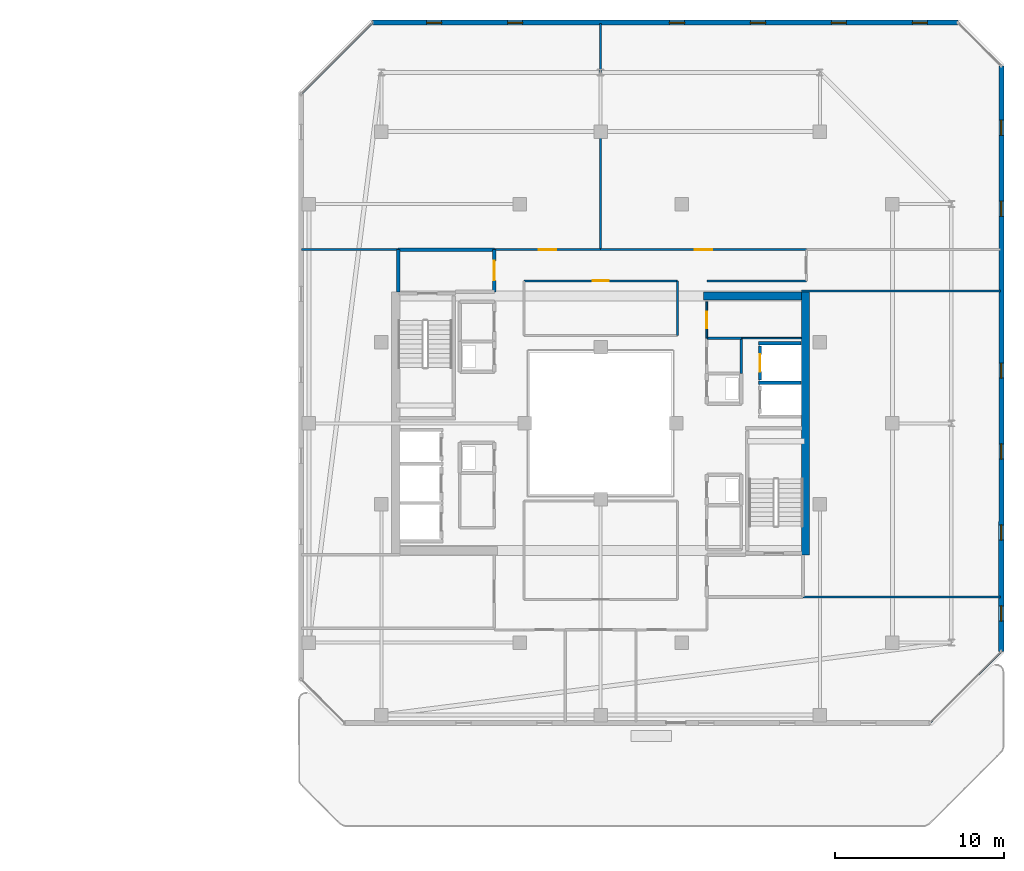
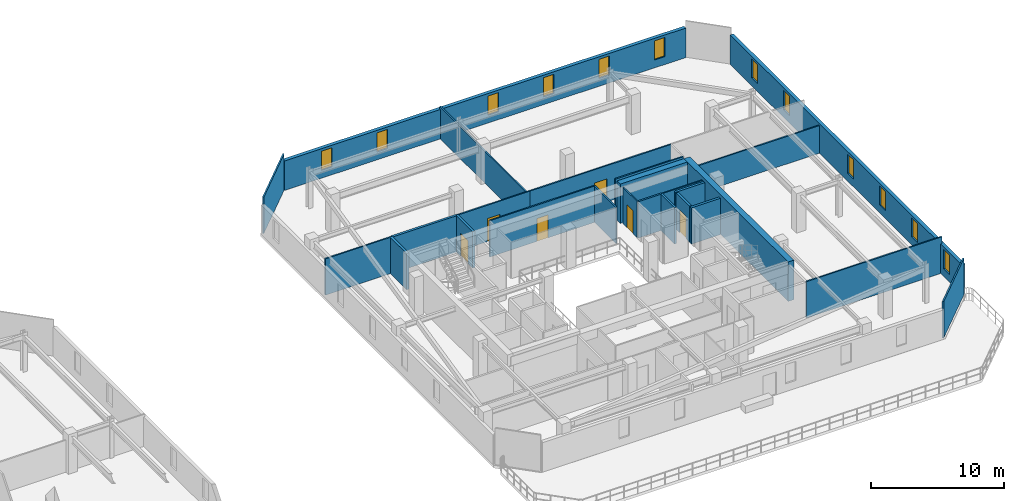
# One storey, part 24 of 31: 25 walls, 12 windows, 6 doors, 18 openings.
"""IFC4 building model written with IfcOpenShell, lengths in metres."""

from ifc_helpers import new_model, si_unit, direction, frame, frame_2d, origin, place, context, subcontext, project, spatial, rectangle, extrude, material, layer, layer_set, type_object, element, fill, save


model = new_model("IFC4")

# Units and contexts
model_context = context("Model", 3, precision=1e-05, world=origin(), true_north=direction((0.0, 1.0)))
body_context = subcontext(model_context, "Body", "Model", "MODEL_VIEW")
ifc_project = project(units=[si_unit("LENGTHUNIT", "METRE"), si_unit("AREAUNIT", "SQUARE_METRE"), si_unit("VOLUMEUNIT", "CUBIC_METRE"), si_unit("PLANEANGLEUNIT", "RADIAN"), si_unit("MASSUNIT", "GRAM", prefix="KILO")], contexts=[model_context])

# Site, building, storey
site_placement = place(None, origin())
site = spatial("IfcSite", under=ifc_project, at=site_placement, CompositionType="ELEMENT")
building_placement = place(site_placement, origin())
building = spatial("IfcBuilding", under=site, at=building_placement, Name="Thornwick Lancets Civic Towers", CompositionType="ELEMENT")
storey_placement = place(building_placement, frame((0.0, 0.0, 254.699951171875)))
storey = spatial("IfcBuildingStorey", under=building, at=storey_placement, Name="L68", CompositionType="ELEMENT", Elevation=254.699951171875)

# Wall, opening, door
ifc_material_1 = material(Name="Concrete blockwork C40/50", Category="masonry")
ifc_layer_1 = layer(ifc_material_1, 0.199951171875, Name="Concrete blockwork C40/50")
ifc_layer_set_1 = layer_set([ifc_layer_1], Name="Concrete blockwork C40/50")
wall_type_1 = type_object("IfcWallType", Name="WALL_COMP_200", PredefinedType="STANDARD", material=ifc_layer_set_1)
wall_1_placement = place(storey_placement, frame((97.949951171875, 31.570068359375, 0.0), z_axis=(0.0, 0.0, 1.0), x_axis=(0.0, -1.0, 0.0)))
wall_1 = element("IfcWall", 1, at=wall_1_placement, inside=storey, type_object=wall_type_1, Name="L68 Hoistway Front Wall PL-BH1", PredefinedType="STANDARD", context=body_context, shape_type="SweptSolid", body=[
    extrude(rectangle(XDim=1.989990234375, YDim=0.199951171875, at=frame_2d((0.9951171875, 0.0))), origin(), (0.0, 0.0, 1.0), 3.320068359375),
])
opening_1_placement = place(wall_1_placement, frame((0.485107421875, 0.0, 0.0)))
opening_1 = element("IfcOpeningElement", 2, at=opening_1_placement, cuts=wall_1, Name="Opening LD-PL-BH1", PredefinedType="OPENING", context=body_context, shape_type="SweptSolid", body=[
    extrude(rectangle(XDim=1.02001953125, YDim=2.06005859375, at=frame_2d((0.510009765625, 1.030029296875))), frame((0.0, 0.10986328125, 0.0), z_axis=(0.0, -1.0, 0.0), x_axis=(1.0, 0.0, 0.0)), (0.0, 0.0, 1.0), 0.219970703125),
])
ifc_material_2 = material(Name="Brushed bronze stainless steel", Category="steel")
door_type_1 = type_object("IfcDoorType", Name="DOOR_LIFT_SLIDE", OperationType="SLIDING_TO_LEFT", PredefinedType="DOOR", material=ifc_material_2)
door_1_placement = place(opening_1_placement, origin())
door_1 = element("IfcDoor", 3, at=door_1_placement, inside=storey, type_object=door_type_1, Name="L68 Sliding Lift Landing Door LD-PL-BH1", OperationType="SLIDING_TO_LEFT", OverallHeight=2.06005859375, OverallWidth=1.02001953125, PredefinedType="DOOR", context=body_context, shape_type="SweptSolid", body=[
    extrude(rectangle(XDim=1.02001953125, YDim=2.06005859375, at=frame_2d((0.510009765625, 1.030029296875))), frame((0.0, 0.02490234375, 0.0), z_axis=(0.0, -1.0, 0.0), x_axis=(1.0, 0.0, 0.0)), (0.0, 0.0, 1.0), 0.050048828125),
])
fill(opening_1, door_1)

# Walls
for number, where, z_axis, x_axis, name in (
    (4, (97.85205078125, 29.39990234375, 0.0), (0.0, 0.0, 1.0), (1.0, 0.0, 0.0), "L68 Hoistway Shaft Wall FL-B1 N"),
    (5, (97.85205078125, 31.75, 0.0), (0.0, 0.0, 1.0), (1.0, 0.0, 0.0), "L68 Hoistway Shaft Wall PL-BH1 N"),
):
    element("IfcWall", number, at=place(storey_placement, frame(where, z_axis=z_axis, x_axis=x_axis)), inside=storey, type_object=wall_type_1, Name=name, PredefinedType="STANDARD", context=body_context, shape_type="SweptSolid", body=[
        extrude(rectangle(XDim=2.535888671875, YDim=0.199951171875, at=frame_2d((1.26806640625, 0.0))), origin(), (0.0, 0.0, 1.0), 3.320068359375),
    ])

# Wall, opening, door
wall_2_placement = place(storey_placement, frame((82.199951171875, 34.800048828125, 0.0), z_axis=(0.0, 0.0, 1.0), x_axis=(0.0, 1.0, 0.0)))
wall_2 = element("IfcWall", 6, at=wall_2_placement, inside=storey, type_object=wall_type_1, Name="L68 Partition L68-B-FFLOB2 E2", PredefinedType="STANDARD", context=body_context, shape_type="SweptSolid", body=[
    extrude(rectangle(XDim=2.5, YDim=0.199951171875, at=frame_2d((1.25, 0.0))), origin(), (0.0, 0.0, 1.0), 3.320068359375),
])
opening_2_placement = place(wall_2_placement, frame((0.675048828125, 0.0, 0.0)))
opening_2 = element("IfcOpeningElement", 7, at=opening_2_placement, cuts=wall_2, Name="Opening D-L68-3103", PredefinedType="OPENING", context=body_context, shape_type="SweptSolid", body=[
    extrude(rectangle(XDim=1.14990234375, YDim=2.10009765625, at=frame_2d((0.574951171875, 1.050048828125))), frame((0.0, 0.10986328125, 0.0), z_axis=(0.0, -1.0, 0.0), x_axis=(1.0, 0.0, 0.0)), (0.0, 0.0, 1.0), 0.219970703125),
])
ifc_material_3 = material(Name="Glazed fire-resisting steel", Category="steel")
door_type_2 = type_object("IfcDoorType", Name="DOOR_LOBBY_FD60", OperationType="NOTDEFINED", PredefinedType="DOOR", material=ifc_material_3)
door_2_placement = place(opening_2_placement, origin())
door_2 = element("IfcDoor", 8, at=door_2_placement, inside=storey, type_object=door_type_2, Name="L68 West Firefighting Lobby 2 Door", OperationType="SINGLE_SWING_RIGHT", OverallHeight=2.10009765625, OverallWidth=1.14990234375, PredefinedType="DOOR", context=body_context, shape_type="SweptSolid", body=[
    extrude(rectangle(XDim=1.14990234375, YDim=2.10009765625, at=frame_2d((0.574951171875, 1.050048828125))), frame((0.0, 0.02490234375, 0.0), z_axis=(0.0, -1.0, 0.0), x_axis=(1.0, 0.0, 0.0)), (0.0, 0.0, 1.0), 0.050048828125),
])
fill(opening_2, door_2)

# Walls
wall_3_placement = place(storey_placement, frame((82.199951171875, 37.300048828125, 0.0), z_axis=(0.0, 0.0, 1.0), x_axis=(-1.0, 0.0, 0.0)))
element("IfcWall", 9, at=wall_3_placement, inside=storey, type_object=wall_type_1, Name="L68 Partition L68-B-FFLOB2 E3", PredefinedType="STANDARD", context=body_context, shape_type="SweptSolid", body=[
    extrude(rectangle(XDim=5.699951171875, YDim=0.199951171875, at=frame_2d((2.85009765625, 0.0))), origin(), (0.0, 0.0, 1.0), 3.320068359375),
])
wall_4_placement = place(storey_placement, frame((76.5, 37.300048828125, 0.0), z_axis=(0.0, 0.0, 1.0), x_axis=(0.0, -1.0, 0.0)))
element("IfcWall", 10, at=wall_4_placement, inside=storey, type_object=wall_type_1, Name="L68 Partition L68-B-FFLOB2 E4", PredefinedType="STANDARD", context=body_context, shape_type="SweptSolid", body=[
    extrude(rectangle(XDim=2.5, YDim=0.199951171875, at=frame_2d((1.25, 0.0))), origin(), (0.0, 0.0, 1.0), 3.320068359375),
])
ifc_material_4 = material(Name="Concrete C50/60", Category="concrete")
ifc_layer_2 = layer(ifc_material_4, 0.5, Name="Concrete C50/60")
ifc_layer_set_2 = layer_set([ifc_layer_2], Name="Concrete C50/60")
wall_type_2 = type_object("IfcWallType", Name="WALL_CORE_500", PredefinedType="SHEAR", material=ifc_layer_set_2)
wall_5_placement = place(storey_placement, frame((100.64990234375, 19.199951171875, 0.0), z_axis=(0.0, 0.0, 1.0), x_axis=(0.0, 1.0, 0.0)))
element("IfcWall", 11, at=wall_5_placement, inside=storey, type_object=wall_type_2, Name="L68 Split Core B1 Shear Wall E", PredefinedType="SHEAR", context=body_context, shape_type="SweptSolid", body=[
    extrude(rectangle(XDim=15.60009765625, YDim=0.5, at=frame_2d((7.800048828125, 0.0))), origin(), (0.0, 0.0, 1.0), 3.60009765625),
])
wall_6_placement = place(storey_placement, frame((94.60009765625, 34.550048828125, 0.0), z_axis=(0.0, 0.0, 1.0), x_axis=(1.0, 0.0, 0.0)))
element("IfcWall", 12, at=wall_6_placement, inside=storey, type_object=wall_type_2, Name="L68 Split Core B1 Shear Wall N", PredefinedType="SHEAR", context=body_context, shape_type="SweptSolid", body=[
    extrude(rectangle(XDim=5.7998046875, YDim=0.5, at=frame_2d((2.89990234375, 0.0))), origin(), (0.0, 0.0, 1.0), 3.60009765625),
])

# Wall, openings, windows
ifc_material_5 = material(Name="Insulated russet terracotta rainscreen on concrete C40/50", Category="masonry")
ifc_layer_3 = layer(ifc_material_5, 0.300048828125, Name="Insulated russet terracotta rainscreen on concrete C40/50")
ifc_layer_set_3 = layer_set([ifc_layer_3], Name="Insulated russet terracotta rainscreen on concrete C40/50")
wall_type_3 = type_object("IfcWallType", Name="WALL_EXT_RUSSET_300", PredefinedType="STANDARD", material=ifc_layer_set_3)
wall_7_placement = place(storey_placement, frame((112.25927734375, 13.47412109375, 0.0), z_axis=(0.0, 0.0, 1.0), x_axis=(0.000154754115, 0.999999988026, 0.0)))
wall_7 = element("IfcWall", 13, at=wall_7_placement, inside=storey, type_object=wall_type_3, Name="L68 Tower B Terracotta Facade Wall E2", PredefinedType="STANDARD", context=body_context, shape_type="SweptSolid", body=[
    extrude(rectangle(XDim=34.707275390625, YDim=0.300048828125, at=frame_2d((17.353515625, 0.0))), origin(), (0.0, 0.0, 1.0), 2.699951171875),
])
opening_3_placement = place(wall_7_placement, frame((1.800048828125, 0.0, 0.719970703125)))
opening_3 = element("IfcOpeningElement", 14, at=opening_3_placement, cuts=wall_7, Name="Opening WL-01", PredefinedType="OPENING", context=body_context, shape_type="SweptSolid", body=[
    extrude(rectangle(XDim=0.89990234375, YDim=1.75, at=frame_2d((0.449951171875, 0.875))), frame((0.0, 0.16015625, 0.0), z_axis=(0.0, -1.0, 0.0), x_axis=(1.0, 0.0, 0.0)), (0.0, 0.0, 1.0), 0.320068359375),
])
opening_4_placement = place(wall_7_placement, frame((6.60009765625, 0.0, 0.719970703125)))
opening_4 = element("IfcOpeningElement", 15, at=opening_4_placement, cuts=wall_7, Name="Opening WL-01", PredefinedType="OPENING", context=body_context, shape_type="SweptSolid", body=[
    extrude(rectangle(XDim=0.89990234375, YDim=1.75, at=frame_2d((0.449951171875, 0.875))), frame((0.0, 0.16015625, 0.0), z_axis=(0.0, -1.0, 0.0), x_axis=(1.0, 0.0, 0.0)), (0.0, 0.0, 1.0), 0.320068359375),
])
opening_5_placement = place(wall_7_placement, frame((11.39990234375, 0.0, 0.719970703125)))
opening_5 = element("IfcOpeningElement", 16, at=opening_5_placement, cuts=wall_7, Name="Opening WL-01", PredefinedType="OPENING", context=body_context, shape_type="SweptSolid", body=[
    extrude(rectangle(XDim=0.89990234375, YDim=1.75, at=frame_2d((0.449951171875, 0.875))), frame((0.0, 0.16015625, 0.0), z_axis=(0.0, -1.0, 0.0), x_axis=(1.0, 0.0, 0.0)), (0.0, 0.0, 1.0), 0.320068359375),
])
opening_6_placement = place(wall_7_placement, frame((16.199951171875, 0.0, 0.719970703125)))
opening_6 = element("IfcOpeningElement", 17, at=opening_6_placement, cuts=wall_7, Name="Opening WL-01", PredefinedType="OPENING", context=body_context, shape_type="SweptSolid", body=[
    extrude(rectangle(XDim=0.89990234375, YDim=1.75, at=frame_2d((0.449951171875, 0.875))), frame((0.0, 0.16015625, 0.0), z_axis=(0.0, -1.0, 0.0), x_axis=(1.0, 0.0, 0.0)), (0.0, 0.0, 1.0), 0.320068359375),
])
opening_7_placement = place(wall_7_placement, frame((25.800048828125, 0.0, 0.719970703125)))
opening_7 = element("IfcOpeningElement", 18, at=opening_7_placement, cuts=wall_7, Name="Opening WL-01", PredefinedType="OPENING", context=body_context, shape_type="SweptSolid", body=[
    extrude(rectangle(XDim=0.89990234375, YDim=1.75, at=frame_2d((0.449951171875, 0.875))), frame((0.0, 0.16015625, 0.0), z_axis=(0.0, -1.0, 0.0), x_axis=(1.0, 0.0, 0.0)), (0.0, 0.0, 1.0), 0.320068359375),
])
opening_8_placement = place(wall_7_placement, frame((30.60009765625, 0.0, 0.719970703125)))
opening_8 = element("IfcOpeningElement", 19, at=opening_8_placement, cuts=wall_7, Name="Opening WL-01", PredefinedType="OPENING", context=body_context, shape_type="SweptSolid", body=[
    extrude(rectangle(XDim=0.89990234375, YDim=1.75, at=frame_2d((0.449951171875, 0.875))), frame((0.0, 0.16015625, 0.0), z_axis=(0.0, -1.0, 0.0), x_axis=(1.0, 0.0, 0.0)), (0.0, 0.0, 1.0), 0.320068359375),
])
ifc_material_6 = material(Name="Clear low-e double glazing in bronze frame", Category="glass")
window_type = type_object("IfcWindowType", Name="WIN_LANCET_900", PartitioningType="SINGLE_PANEL", PredefinedType="WINDOW", material=ifc_material_6)
window_1_placement = place(opening_3_placement, origin())
window_1 = element("IfcWindow", 20, at=window_1_placement, inside=storey, type_object=window_type, Name="L68 Tower B Staggered Lancet Window E2-1", OverallHeight=1.75, OverallWidth=0.89990234375, PartitioningType="SINGLE_PANEL", PredefinedType="WINDOW", context=body_context, shape_type="SweptSolid", body=[
    extrude(rectangle(XDim=0.89990234375, YDim=1.75, at=frame_2d((0.449951171875, 0.875))), frame((0.0, 0.030029296875, 0.0), z_axis=(0.0, -1.0, 0.0), x_axis=(1.0, 0.0, 0.0)), (0.0, 0.0, 1.0), 0.06005859375),
])
fill(opening_3, window_1)
window_2_placement = place(opening_4_placement, origin())
window_2 = element("IfcWindow", 21, at=window_2_placement, inside=storey, type_object=window_type, Name="L68 Tower B Staggered Lancet Window E2-2", OverallHeight=1.75, OverallWidth=0.89990234375, PartitioningType="SINGLE_PANEL", PredefinedType="WINDOW", context=body_context, shape_type="SweptSolid", body=[
    extrude(rectangle(XDim=0.89990234375, YDim=1.75, at=frame_2d((0.449951171875, 0.875))), frame((0.0, 0.030029296875, 0.0), z_axis=(0.0, -1.0, 0.0), x_axis=(1.0, 0.0, 0.0)), (0.0, 0.0, 1.0), 0.06005859375),
])
fill(opening_4, window_2)
window_3_placement = place(opening_5_placement, origin())
window_3 = element("IfcWindow", 22, at=window_3_placement, inside=storey, type_object=window_type, Name="L68 Tower B Staggered Lancet Window E2-3", OverallHeight=1.75, OverallWidth=0.89990234375, PartitioningType="SINGLE_PANEL", PredefinedType="WINDOW", context=body_context, shape_type="SweptSolid", body=[
    extrude(rectangle(XDim=0.89990234375, YDim=1.75, at=frame_2d((0.449951171875, 0.875))), frame((0.0, 0.030029296875, 0.0), z_axis=(0.0, -1.0, 0.0), x_axis=(1.0, 0.0, 0.0)), (0.0, 0.0, 1.0), 0.06005859375),
])
fill(opening_5, window_3)
window_4_placement = place(opening_6_placement, origin())
window_4 = element("IfcWindow", 23, at=window_4_placement, inside=storey, type_object=window_type, Name="L68 Tower B Staggered Lancet Window E2-4", OverallHeight=1.75, OverallWidth=0.89990234375, PartitioningType="SINGLE_PANEL", PredefinedType="WINDOW", context=body_context, shape_type="SweptSolid", body=[
    extrude(rectangle(XDim=0.89990234375, YDim=1.75, at=frame_2d((0.449951171875, 0.875))), frame((0.0, 0.030029296875, 0.0), z_axis=(0.0, -1.0, 0.0), x_axis=(1.0, 0.0, 0.0)), (0.0, 0.0, 1.0), 0.06005859375),
])
fill(opening_6, window_4)
window_5_placement = place(opening_7_placement, origin())
window_5 = element("IfcWindow", 24, at=window_5_placement, inside=storey, type_object=window_type, Name="L68 Tower B Staggered Lancet Window E2-5", OverallHeight=1.75, OverallWidth=0.89990234375, PartitioningType="SINGLE_PANEL", PredefinedType="WINDOW", context=body_context, shape_type="SweptSolid", body=[
    extrude(rectangle(XDim=0.89990234375, YDim=1.75, at=frame_2d((0.449951171875, 0.875))), frame((0.0, 0.030029296875, 0.0), z_axis=(0.0, -1.0, 0.0), x_axis=(1.0, 0.0, 0.0)), (0.0, 0.0, 1.0), 0.06005859375),
])
fill(opening_7, window_5)
window_6_placement = place(opening_8_placement, origin())
window_6 = element("IfcWindow", 25, at=window_6_placement, inside=storey, type_object=window_type, Name="L68 Tower B Staggered Lancet Window E2-6", OverallHeight=1.75, OverallWidth=0.89990234375, PartitioningType="SINGLE_PANEL", PredefinedType="WINDOW", context=body_context, shape_type="SweptSolid", body=[
    extrude(rectangle(XDim=0.89990234375, YDim=1.75, at=frame_2d((0.449951171875, 0.875))), frame((0.0, 0.030029296875, 0.0), z_axis=(0.0, -1.0, 0.0), x_axis=(1.0, 0.0, 0.0)), (0.0, 0.0, 1.0), 0.06005859375),
])
fill(opening_8, window_6)

wall_8_placement = place(storey_placement, frame((109.681396484375, 50.7646484375, 0.0), z_axis=(0.0, 0.0, 1.0), x_axis=(-0.999999988026, -0.000154754115, 0.0)))
wall_8 = element("IfcWall", 26, at=wall_8_placement, inside=storey, type_object=wall_type_3, Name="L68 Tower B Terracotta Facade Wall E4", PredefinedType="STANDARD", context=body_context, shape_type="SweptSolid", body=[
    extrude(rectangle(XDim=34.707275390625, YDim=0.300048828125, at=frame_2d((17.353515625, 0.0))), origin(), (0.0, 0.0, 1.0), 2.699951171875),
])
opening_9_placement = place(wall_8_placement, frame((1.800048828125, 0.0, 0.719970703125)))
opening_9 = element("IfcOpeningElement", 27, at=opening_9_placement, cuts=wall_8, Name="Opening WL-01", PredefinedType="OPENING", context=body_context, shape_type="SweptSolid", body=[
    extrude(rectangle(XDim=0.89990234375, YDim=1.75, at=frame_2d((0.449951171875, 0.875))), frame((0.0, 0.16015625, 0.0), z_axis=(0.0, -1.0, 0.0), x_axis=(1.0, 0.0, 0.0)), (0.0, 0.0, 1.0), 0.320068359375),
])
opening_10_placement = place(wall_8_placement, frame((6.60009765625, 0.0, 0.719970703125)))
opening_10 = element("IfcOpeningElement", 28, at=opening_10_placement, cuts=wall_8, Name="Opening WL-01", PredefinedType="OPENING", context=body_context, shape_type="SweptSolid", body=[
    extrude(rectangle(XDim=0.89990234375, YDim=1.75, at=frame_2d((0.449951171875, 0.875))), frame((0.0, 0.16015625, 0.0), z_axis=(0.0, -1.0, 0.0), x_axis=(1.0, 0.0, 0.0)), (0.0, 0.0, 1.0), 0.320068359375),
])
opening_11_placement = place(wall_8_placement, frame((11.39990234375, 0.0, 0.719970703125)))
opening_11 = element("IfcOpeningElement", 29, at=opening_11_placement, cuts=wall_8, Name="Opening WL-01", PredefinedType="OPENING", context=body_context, shape_type="SweptSolid", body=[
    extrude(rectangle(XDim=0.89990234375, YDim=1.75, at=frame_2d((0.449951171875, 0.875))), frame((0.0, 0.16015625, 0.0), z_axis=(0.0, -1.0, 0.0), x_axis=(1.0, 0.0, 0.0)), (0.0, 0.0, 1.0), 0.320068359375),
])
opening_12_placement = place(wall_8_placement, frame((16.199951171875, 0.0, 0.719970703125)))
opening_12 = element("IfcOpeningElement", 30, at=opening_12_placement, cuts=wall_8, Name="Opening WL-01", PredefinedType="OPENING", context=body_context, shape_type="SweptSolid", body=[
    extrude(rectangle(XDim=0.89990234375, YDim=1.75, at=frame_2d((0.449951171875, 0.875))), frame((0.0, 0.16015625, 0.0), z_axis=(0.0, -1.0, 0.0), x_axis=(1.0, 0.0, 0.0)), (0.0, 0.0, 1.0), 0.320068359375),
])
opening_13_placement = place(wall_8_placement, frame((25.800048828125, 0.0, 0.719970703125)))
opening_13 = element("IfcOpeningElement", 31, at=opening_13_placement, cuts=wall_8, Name="Opening WL-01", PredefinedType="OPENING", context=body_context, shape_type="SweptSolid", body=[
    extrude(rectangle(XDim=0.89990234375, YDim=1.75, at=frame_2d((0.449951171875, 0.875))), frame((0.0, 0.16015625, 0.0), z_axis=(0.0, -1.0, 0.0), x_axis=(1.0, 0.0, 0.0)), (0.0, 0.0, 1.0), 0.320068359375),
])
opening_14_placement = place(wall_8_placement, frame((30.60009765625, 0.0, 0.719970703125)))
opening_14 = element("IfcOpeningElement", 32, at=opening_14_placement, cuts=wall_8, Name="Opening WL-01", PredefinedType="OPENING", context=body_context, shape_type="SweptSolid", body=[
    extrude(rectangle(XDim=0.89990234375, YDim=1.75, at=frame_2d((0.449951171875, 0.875))), frame((0.0, 0.16015625, 0.0), z_axis=(0.0, -1.0, 0.0), x_axis=(1.0, 0.0, 0.0)), (0.0, 0.0, 1.0), 0.320068359375),
])
window_7_placement = place(opening_9_placement, origin())
window_7 = element("IfcWindow", 33, at=window_7_placement, inside=storey, type_object=window_type, Name="L68 Tower B Staggered Lancet Window E4-1", OverallHeight=1.75, OverallWidth=0.89990234375, PartitioningType="SINGLE_PANEL", PredefinedType="WINDOW", context=body_context, shape_type="SweptSolid", body=[
    extrude(rectangle(XDim=0.89990234375, YDim=1.75, at=frame_2d((0.449951171875, 0.875))), frame((0.0, 0.030029296875, 0.0), z_axis=(0.0, -1.0, 0.0), x_axis=(1.0, 0.0, 0.0)), (0.0, 0.0, 1.0), 0.06005859375),
])
fill(opening_9, window_7)
window_8_placement = place(opening_10_placement, origin())
window_8 = element("IfcWindow", 34, at=window_8_placement, inside=storey, type_object=window_type, Name="L68 Tower B Staggered Lancet Window E4-2", OverallHeight=1.75, OverallWidth=0.89990234375, PartitioningType="SINGLE_PANEL", PredefinedType="WINDOW", context=body_context, shape_type="SweptSolid", body=[
    extrude(rectangle(XDim=0.89990234375, YDim=1.75, at=frame_2d((0.449951171875, 0.875))), frame((0.0, 0.030029296875, 0.0), z_axis=(0.0, -1.0, 0.0), x_axis=(1.0, 0.0, 0.0)), (0.0, 0.0, 1.0), 0.06005859375),
])
fill(opening_10, window_8)
window_9_placement = place(opening_11_placement, origin())
window_9 = element("IfcWindow", 35, at=window_9_placement, inside=storey, type_object=window_type, Name="L68 Tower B Staggered Lancet Window E4-3", OverallHeight=1.75, OverallWidth=0.89990234375, PartitioningType="SINGLE_PANEL", PredefinedType="WINDOW", context=body_context, shape_type="SweptSolid", body=[
    extrude(rectangle(XDim=0.89990234375, YDim=1.75, at=frame_2d((0.449951171875, 0.875))), frame((0.0, 0.030029296875, 0.0), z_axis=(0.0, -1.0, 0.0), x_axis=(1.0, 0.0, 0.0)), (0.0, 0.0, 1.0), 0.06005859375),
])
fill(opening_11, window_9)
window_10_placement = place(opening_12_placement, origin())
window_10 = element("IfcWindow", 36, at=window_10_placement, inside=storey, type_object=window_type, Name="L68 Tower B Staggered Lancet Window E4-4", OverallHeight=1.75, OverallWidth=0.89990234375, PartitioningType="SINGLE_PANEL", PredefinedType="WINDOW", context=body_context, shape_type="SweptSolid", body=[
    extrude(rectangle(XDim=0.89990234375, YDim=1.75, at=frame_2d((0.449951171875, 0.875))), frame((0.0, 0.030029296875, 0.0), z_axis=(0.0, -1.0, 0.0), x_axis=(1.0, 0.0, 0.0)), (0.0, 0.0, 1.0), 0.06005859375),
])
fill(opening_12, window_10)
window_11_placement = place(opening_13_placement, origin())
window_11 = element("IfcWindow", 37, at=window_11_placement, inside=storey, type_object=window_type, Name="L68 Tower B Staggered Lancet Window E4-5", OverallHeight=1.75, OverallWidth=0.89990234375, PartitioningType="SINGLE_PANEL", PredefinedType="WINDOW", context=body_context, shape_type="SweptSolid", body=[
    extrude(rectangle(XDim=0.89990234375, YDim=1.75, at=frame_2d((0.449951171875, 0.875))), frame((0.0, 0.030029296875, 0.0), z_axis=(0.0, -1.0, 0.0), x_axis=(1.0, 0.0, 0.0)), (0.0, 0.0, 1.0), 0.06005859375),
])
fill(opening_13, window_11)
window_12_placement = place(opening_14_placement, origin())
window_12 = element("IfcWindow", 38, at=window_12_placement, inside=storey, type_object=window_type, Name="L68 Tower B Staggered Lancet Window E4-6", OverallHeight=1.75, OverallWidth=0.89990234375, PartitioningType="SINGLE_PANEL", PredefinedType="WINDOW", context=body_context, shape_type="SweptSolid", body=[
    extrude(rectangle(XDim=0.89990234375, YDim=1.75, at=frame_2d((0.449951171875, 0.875))), frame((0.0, 0.030029296875, 0.0), z_axis=(0.0, -1.0, 0.0), x_axis=(1.0, 0.0, 0.0)), (0.0, 0.0, 1.0), 0.06005859375),
])
fill(opening_14, window_12)

# Wall, opening, door
ifc_material_7 = material(Name="Lightweight cellular office partition")
ifc_layer_4 = layer(ifc_material_7, 0.10009765625, Name="Lightweight cellular office partition")
ifc_layer_set_4 = layer_set([ifc_layer_4], Name="Lightweight cellular office partition")
wall_type_4 = type_object("IfcWallType", Name="WALL_PART_100", PredefinedType="PARTITIONING", material=ifc_layer_set_4)
wall_9_placement = place(storey_placement, frame((94.800048828125, 32.050048828125, 0.0), z_axis=(0.0, 0.0, 1.0), x_axis=(0.0, 1.0, 0.0)))
wall_9 = element("IfcWall", 39, at=wall_9_placement, inside=storey, type_object=wall_type_4, Name="L68 Partition L68-B-CLN E1", PredefinedType="PARTITIONING", context=body_context, shape_type="SweptSolid", body=[
    extrude(rectangle(XDim=2.14990234375, YDim=0.10009765625, at=frame_2d((1.074951171875, 0.0))), origin(), (0.0, 0.0, 1.0), 3.320068359375),
])
opening_15_placement = place(wall_9_placement, frame((0.60009765625, 0.0, 0.0)))
opening_15 = element("IfcOpeningElement", 40, at=opening_15_placement, cuts=wall_9, Name="Opening D-L68-3110", PredefinedType="OPENING", context=body_context, shape_type="SweptSolid", body=[
    extrude(rectangle(XDim=0.949951171875, YDim=2.10009765625, at=frame_2d((0.47509765625, 1.050048828125))), frame((0.0, 0.06005859375, 0.0), z_axis=(0.0, -1.0, 0.0), x_axis=(1.0, 0.0, 0.0)), (0.0, 0.0, 1.0), 0.1201171875),
])
ifc_material_8 = material(Name="European oak acoustic doorset")
door_type_3 = type_object("IfcDoorType", Name="DOOR_OFFICE_950", OperationType="NOTDEFINED", PredefinedType="DOOR", material=ifc_material_8)
door_3_placement = place(opening_15_placement, origin())
door_3 = element("IfcDoor", 41, at=door_3_placement, inside=storey, type_object=door_type_3, Name="L68 Tower B Cleaners Store Door", OperationType="SINGLE_SWING_LEFT", OverallHeight=2.10009765625, OverallWidth=0.949951171875, PredefinedType="DOOR", context=body_context, shape_type="SweptSolid", body=[
    extrude(rectangle(XDim=0.949951171875, YDim=2.10009765625, at=frame_2d((0.47509765625, 1.050048828125))), frame((0.0, 0.02490234375, 0.0), z_axis=(0.0, -1.0, 0.0), x_axis=(1.0, 0.0, 0.0)), (0.0, 0.0, 1.0), 0.050048828125),
])
fill(opening_15, door_3)

# Walls
wall_10_placement = place(storey_placement, frame((100.39990234375, 32.050048828125, 0.0), z_axis=(0.0, 0.0, 1.0), x_axis=(-1.0, 0.0, 0.0)))
element("IfcWall", 42, at=wall_10_placement, inside=storey, type_object=wall_type_4, Name="L68 Partition L68-B-CLN E4", PredefinedType="PARTITIONING", context=body_context, shape_type="SweptSolid", body=[
    extrude(rectangle(XDim=3.5498046875, YDim=0.10009765625, at=frame_2d((1.77490234375, 0.0))), origin(), (0.0, 0.0, 1.0), 3.320068359375),
])
ifc_material_9 = material(Name="Acoustic gypsum board partition")
ifc_layer_5 = layer(ifc_material_9, 0.1201171875, Name="Acoustic gypsum board partition")
ifc_layer_set_5 = layer_set([ifc_layer_5], Name="Acoustic gypsum board partition")
wall_type_5 = type_object("IfcWallType", Name="WALL_PART_120", PredefinedType="PARTITIONING", material=ifc_layer_set_5)
wall_11_placement = place(storey_placement, frame((94.800048828125, 35.449951171875, 0.0), z_axis=(0.0, 0.0, 1.0), x_axis=(1.0, 0.0, 0.0)))
element("IfcWall", 43, at=wall_11_placement, inside=storey, type_object=wall_type_5, Name="L68 Partition L68-B-RECLAIM-L E2", PredefinedType="PARTITIONING", context=body_context, shape_type="SweptSolid", body=[
    extrude(rectangle(XDim=5.89990234375, YDim=0.1201171875, at=frame_2d((2.949951171875, 0.0))), origin(), (0.0, 0.0, 1.0), 3.320068359375),
])
wall_12_placement = place(storey_placement, frame((112.219970703125, 34.85009765625, 0.0), z_axis=(0.0, 0.0, 1.0), x_axis=(-1.0, 0.0, 0.0)))
element("IfcWall", 44, at=wall_12_placement, inside=storey, type_object=wall_type_5, Name="L68 Partition L68-B-RECLAIM-L E6", PredefinedType="PARTITIONING", context=body_context, shape_type="SweptSolid", body=[
    extrude(rectangle(XDim=11.820068359375, YDim=0.1201171875, at=frame_2d((5.91015625, 0.0))), origin(), (0.0, 0.0, 1.0), 2.525146484375),
])
wall_13_placement = place(storey_placement, frame((100.5, 16.699951171875, 0.0), z_axis=(0.0, 0.0, 1.0), x_axis=(1.0, 0.0, 0.0)))
element("IfcWall", 45, at=wall_13_placement, inside=storey, type_object=wall_type_5, Name="L68 Partition L68-B-W1 E7", PredefinedType="PARTITIONING", context=body_context, shape_type="SweptSolid", body=[
    extrude(rectangle(XDim=11.719970703125, YDim=0.1201171875, at=frame_2d((5.85986328125, 0.0))), origin(), (0.0, 0.0, 1.0), 3.320068359375),
])
wall_14_placement = place(storey_placement, frame((112.219970703125, 13.4365234375, 0.0), z_axis=(0.0, 0.0, 1.0), x_axis=(-0.707106781187, -0.707106781187, 0.0)))
element("IfcWall", 46, at=wall_14_placement, inside=storey, type_object=wall_type_5, Name="L68 Partition L68-B-W1 E9", PredefinedType="PARTITIONING", context=body_context, shape_type="SweptSolid", body=[
    extrude(rectangle(XDim=5.878173828125, YDim=0.1201171875, at=frame_2d((2.93896484375, 0.0))), origin(), (0.0, 0.0, 1.0), 3.320068359375),
])

# Wall, opening, door
wall_15_placement = place(storey_placement, frame((100.699951171875, 37.300048828125, 0.0), z_axis=(0.0, 0.0, 1.0), x_axis=(-1.0, 0.0, 0.0)))
wall_15 = element("IfcWall", 47, at=wall_15_placement, inside=storey, type_object=wall_type_5, Name="L68 Partition L68-B-E1 E1", PredefinedType="PARTITIONING", context=body_context, shape_type="SweptSolid", body=[
    extrude(rectangle(XDim=12.199951171875, YDim=0.1201171875, at=frame_2d((6.10009765625, 0.0))), origin(), (0.0, 0.0, 1.0), 3.320068359375),
])
opening_16_placement = place(wall_15_placement, frame((5.574951171875, 0.0, 0.0)))
opening_16 = element("IfcOpeningElement", 48, at=opening_16_placement, cuts=wall_15, Name="Opening D-L68-3128", PredefinedType="OPENING", context=body_context, shape_type="SweptSolid", body=[
    extrude(rectangle(XDim=1.050048828125, YDim=2.10009765625, at=frame_2d((0.52490234375, 1.050048828125))), frame((0.0, 0.070068359375, 0.0), z_axis=(0.0, -1.0, 0.0), x_axis=(1.0, 0.0, 0.0)), (0.0, 0.0, 1.0), 0.14013671875),
])
ifc_material_10 = material(Name="Glazed European oak executive doorset")
door_type_4 = type_object("IfcDoorType", Name="DOOR_OFFICE_1050", OperationType="NOTDEFINED", PredefinedType="DOOR", material=ifc_material_10)
door_4_placement = place(opening_16_placement, origin())
door_4 = element("IfcDoor", 49, at=door_4_placement, inside=storey, type_object=door_type_4, Name="L68 Tower B Secretariat Open Office E1 Door", OperationType="SINGLE_SWING_LEFT", OverallHeight=2.10009765625, OverallWidth=1.050048828125, PredefinedType="DOOR", context=body_context, shape_type="SweptSolid", body=[
    extrude(rectangle(XDim=1.050048828125, YDim=2.10009765625, at=frame_2d((0.52490234375, 1.050048828125))), frame((0.0, 0.02490234375, 0.0), z_axis=(0.0, -1.0, 0.0), x_axis=(1.0, 0.0, 0.0)), (0.0, 0.0, 1.0), 0.050048828125),
])
fill(opening_16, door_4)

# Walls
wall_16_placement = place(storey_placement, frame((88.5, 37.300048828125, 0.0), z_axis=(0.0, 0.0, 1.0), x_axis=(0.0, 1.0, 0.0)))
element("IfcWall", 50, at=wall_16_placement, inside=storey, type_object=wall_type_5, Name="L68 Partition L68-B-E1 E2", PredefinedType="PARTITIONING", context=body_context, shape_type="SweptSolid", body=[
    extrude(rectangle(XDim=13.419921875, YDim=0.1201171875, at=frame_2d((6.7099609375, 0.0))), origin(), (0.0, 0.0, 1.0), 2.912353515625),
])
wall_17_placement = place(storey_placement, frame((76.5, 37.300048828125, 0.0), z_axis=(0.0, 0.0, 1.0), x_axis=(-1.0, 0.0, 0.0)))
element("IfcWall", 51, at=wall_17_placement, inside=storey, type_object=wall_type_5, Name="L68 Partition L68-B-E2 E2", PredefinedType="PARTITIONING", context=body_context, shape_type="SweptSolid", body=[
    extrude(rectangle(XDim=5.719970703125, YDim=0.1201171875, at=frame_2d((2.85986328125, 0.0))), origin(), (0.0, 0.0, 1.0), 3.320068359375),
])
wall_18_placement = place(storey_placement, frame((70.780029296875, 46.5634765625, 0.0), z_axis=(0.0, 0.0, 1.0), x_axis=(0.707106781187, 0.707106781187, 0.0)))
element("IfcWall", 52, at=wall_18_placement, inside=storey, type_object=wall_type_5, Name="L68 Partition L68-B-E2 E4", PredefinedType="PARTITIONING", context=body_context, shape_type="SweptSolid", body=[
    extrude(rectangle(XDim=5.878173828125, YDim=0.1201171875, at=frame_2d((2.93896484375, 0.0))), origin(), (0.0, 0.0, 1.0), 3.320068359375),
])

# Wall, opening, door
wall_19_placement = place(storey_placement, frame((88.5, 37.300048828125, 0.0), z_axis=(0.0, 0.0, 1.0), x_axis=(-1.0, 0.0, 0.0)))
wall_19 = element("IfcWall", 53, at=wall_19_placement, inside=storey, type_object=wall_type_5, Name="L68 Partition L68-B-E2 E7", PredefinedType="PARTITIONING", context=body_context, shape_type="SweptSolid", body=[
    extrude(rectangle(XDim=6.300048828125, YDim=0.1201171875, at=frame_2d((3.14990234375, 0.0))), origin(), (0.0, 0.0, 1.0), 3.320068359375),
])
opening_17_placement = place(wall_19_placement, frame((2.625, 0.0, 0.0)))
opening_17 = element("IfcOpeningElement", 54, at=opening_17_placement, cuts=wall_19, Name="Opening D-L68-3129", PredefinedType="OPENING", context=body_context, shape_type="SweptSolid", body=[
    extrude(rectangle(XDim=1.050048828125, YDim=2.10009765625, at=frame_2d((0.52490234375, 1.050048828125))), frame((0.0, 0.070068359375, 0.0), z_axis=(0.0, -1.0, 0.0), x_axis=(1.0, 0.0, 0.0)), (0.0, 0.0, 1.0), 0.14013671875),
])
door_5_placement = place(opening_17_placement, origin())
door_5 = element("IfcDoor", 55, at=door_5_placement, inside=storey, type_object=door_type_4, Name="L68 Tower B Visitors Reception and Waiting Door", OperationType="SINGLE_SWING_RIGHT", OverallHeight=2.10009765625, OverallWidth=1.050048828125, PredefinedType="DOOR", context=body_context, shape_type="SweptSolid", body=[
    extrude(rectangle(XDim=1.050048828125, YDim=2.10009765625, at=frame_2d((0.52490234375, 1.050048828125))), frame((0.0, 0.02490234375, 0.0), z_axis=(0.0, -1.0, 0.0), x_axis=(1.0, 0.0, 0.0)), (0.0, 0.0, 1.0), 0.050048828125),
])
fill(opening_17, door_5)

wall_20_placement = place(storey_placement, frame((83.949951171875, 35.449951171875, 0.0), z_axis=(0.0, 0.0, 1.0), x_axis=(1.0, 0.0, 0.0)))
wall_20 = element("IfcWall", 56, at=wall_20_placement, inside=storey, type_object=wall_type_5, Name="L68 Partition L68-B-E-ATRIUM-OFF E2", PredefinedType="PARTITIONING", context=body_context, shape_type="SweptSolid", body=[
    extrude(rectangle(XDim=9.10009765625, YDim=0.1201171875, at=frame_2d((4.550048828125, 0.0))), origin(), (0.0, 0.0, 1.0), 3.320068359375),
])
opening_18_placement = place(wall_20_placement, frame((4.074951171875, 0.0, 0.0)))
opening_18 = element("IfcOpeningElement", 57, at=opening_18_placement, cuts=wall_20, Name="Opening D-L68-3130", PredefinedType="OPENING", context=body_context, shape_type="SweptSolid", body=[
    extrude(rectangle(XDim=0.949951171875, YDim=2.10009765625, at=frame_2d((0.47509765625, 1.050048828125))), frame((0.0, 0.070068359375, 0.0), z_axis=(0.0, -1.0, 0.0), x_axis=(1.0, 0.0, 0.0)), (0.0, 0.0, 1.0), 0.14013671875),
])
door_6_placement = place(opening_18_placement, origin())
door_6 = element("IfcDoor", 58, at=door_6_placement, inside=storey, type_object=door_type_3, Name="L68 Tower B Atrium Policy Office Door", OperationType="SINGLE_SWING_LEFT", OverallHeight=2.10009765625, OverallWidth=0.949951171875, PredefinedType="DOOR", context=body_context, shape_type="SweptSolid", body=[
    extrude(rectangle(XDim=0.949951171875, YDim=2.10009765625, at=frame_2d((0.47509765625, 1.050048828125))), frame((0.0, 0.02490234375, 0.0), z_axis=(0.0, -1.0, 0.0), x_axis=(1.0, 0.0, 0.0)), (0.0, 0.0, 1.0), 0.050048828125),
])
fill(opening_18, door_6)

# Walls
wall_21_placement = place(storey_placement, frame((93.050048828125, 35.449951171875, 0.0), z_axis=(0.0, 0.0, 1.0), x_axis=(0.0, -1.0, 0.0)))
element("IfcWall", 59, at=wall_21_placement, inside=storey, type_object=wall_type_5, Name="L68 Partition L68-B-E-ATRIUM-OFF E3", PredefinedType="PARTITIONING", context=body_context, shape_type="SweptSolid", body=[
    extrude(rectangle(XDim=3.25, YDim=0.1201171875, at=frame_2d((1.625, 0.0))), origin(), (0.0, 0.0, 1.0), 3.320068359375),
])
ifc_material_11 = material(Name="Twin-stud acoustic gypsum board")
ifc_layer_6 = layer(ifc_material_11, 0.14990234375, Name="Twin-stud acoustic gypsum board")
ifc_layer_set_6 = layer_set([ifc_layer_6], Name="Twin-stud acoustic gypsum board")
wall_type_6 = type_object("IfcWallType", Name="WALL_PART_150", PredefinedType="PARTITIONING", material=ifc_layer_set_6)
wall_22_placement = place(storey_placement, frame((94.800048828125, 32.050048828125, 0.0), z_axis=(0.0, 0.0, 1.0), x_axis=(1.0, 0.0, 0.0)))
element("IfcWall", 60, at=wall_22_placement, inside=storey, type_object=wall_type_6, Name="L68 Partition L68-B-MWC E2", PredefinedType="PARTITIONING", context=body_context, shape_type="SweptSolid", body=[
    extrude(rectangle(XDim=2.050048828125, YDim=0.14990234375, at=frame_2d((1.02490234375, 0.0))), origin(), (0.0, 0.0, 1.0), 3.320068359375),
])
wall_23_placement = place(storey_placement, frame((96.85009765625, 32.050048828125, 0.0), z_axis=(0.0, 0.0, 1.0), x_axis=(0.0, -1.0, 0.0)))
element("IfcWall", 61, at=wall_23_placement, inside=storey, type_object=wall_type_6, Name="L68 Partition L68-B-MWC E3", PredefinedType="PARTITIONING", context=body_context, shape_type="SweptSolid", body=[
    extrude(rectangle(XDim=2.10009765625, YDim=0.14990234375, at=frame_2d((1.050048828125, 0.0))), origin(), (0.0, 0.0, 1.0), 3.320068359375),
])

save(model, "model.ifc")
